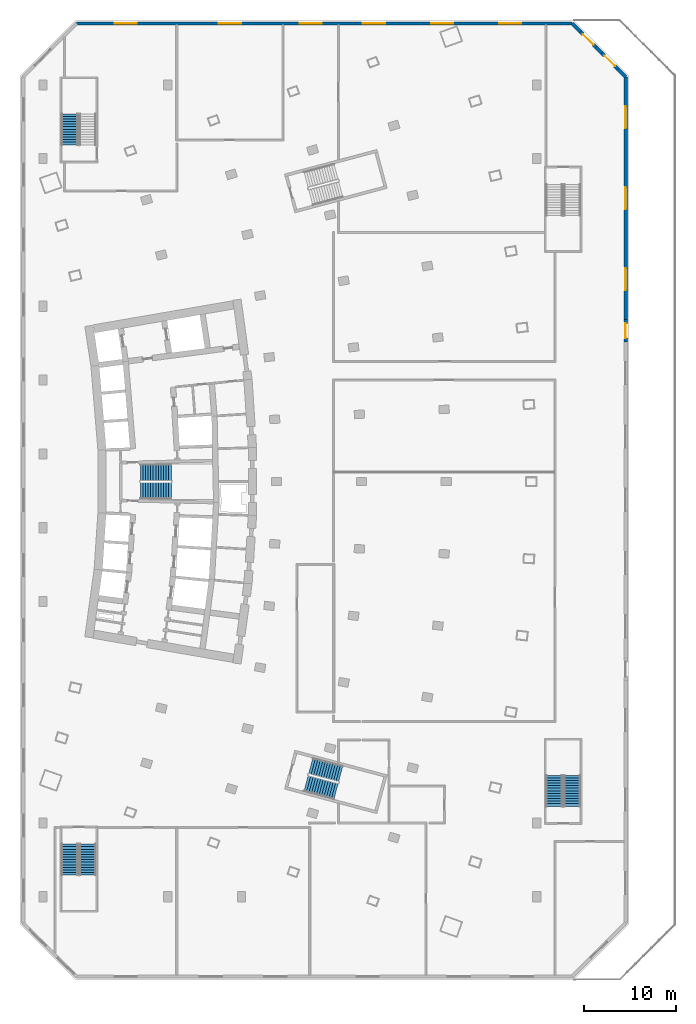
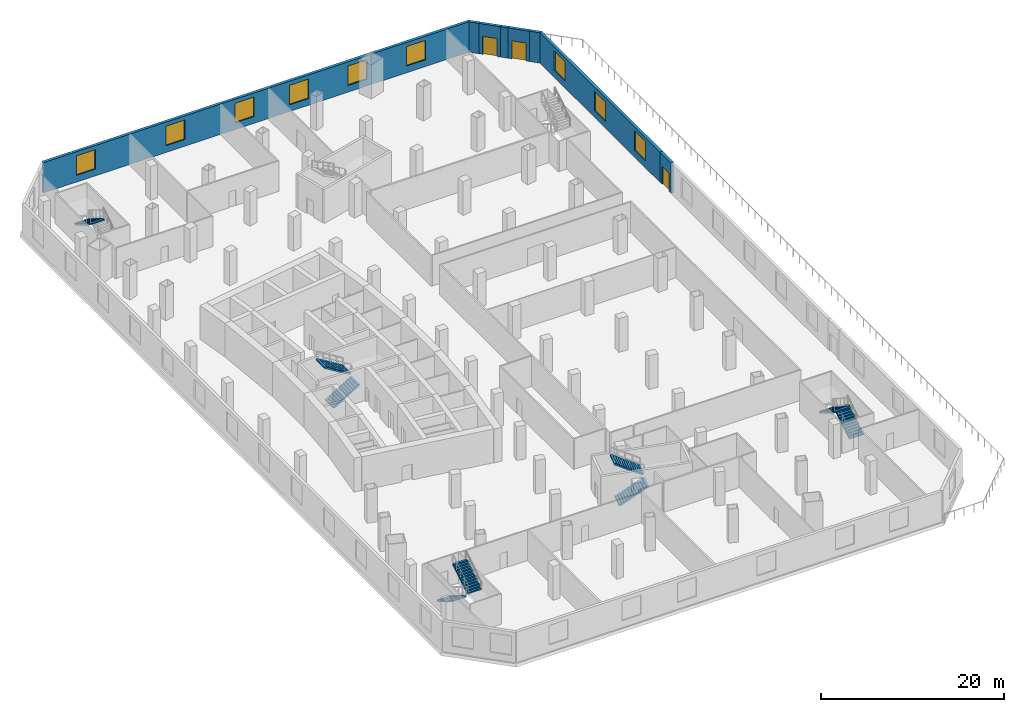
# One storey, part 8 of 14: 9 stair flights, 9 windows, 8 walls, 3 doors, 12 openings, 5 elements without a shape of their own.
"""IFC4 building model written with IfcOpenShell, lengths in metres."""

from ifc_helpers import new_model, si_unit, direction, frame, frame_2d, origin, place, context, subcontext, project, spatial, polyline, rectangle, outline, extrude, material, layer, layer_set, type_object, element, fill, aggregate, save


model = new_model("IFC4")

# Units and contexts
model_context = context("Model", 3, precision=1e-05, world=origin(), true_north=direction((0.0, 1.0)))
body_context = subcontext(model_context, "Body", "Model", "MODEL_VIEW")
ifc_project = project(units=[si_unit("LENGTHUNIT", "METRE"), si_unit("AREAUNIT", "SQUARE_METRE"), si_unit("VOLUMEUNIT", "CUBIC_METRE"), si_unit("PLANEANGLEUNIT", "RADIAN"), si_unit("MASSUNIT", "GRAM", prefix="KILO")], contexts=[model_context])

# Site, building, storey
site_placement = place(None, origin())
site = spatial("IfcSite", under=ifc_project, at=site_placement, CompositionType="ELEMENT")
building_placement = place(site_placement, origin())
building = spatial("IfcBuilding", under=site, at=building_placement, Name="Alderwake Tower", CompositionType="ELEMENT")
storey_placement = place(building_placement, frame((0.0, 0.0, 23.0)))
storey = spatial("IfcBuildingStorey", under=building, at=storey_placement, Name="L04", CompositionType="ELEMENT", Elevation=23.0)

# Wall, opening, door
ifc_material_1 = material(Name="Precast concrete C50/60 spandrel panel", Category="concrete")
ifc_layer_1 = layer(ifc_material_1, 0.35009765625)
ifc_layer_set_1 = layer_set([ifc_layer_1], Name="External wall EW4 Precast concrete C50/60 podium")
wall_type = type_object("IfcWallType", Name="External wall EW4 Precast concrete C50/60 podium", PredefinedType="SOLIDWALL", material=ifc_layer_set_1)
wall_1_placement = place(storey_placement, frame((73.64990234375, 76.152587890625, 0.0), z_axis=(0.0, 0.0, 1.0), x_axis=(0.0, 1.0, 0.0)))
wall_1 = element("IfcWall", 1, at=wall_1_placement, inside=storey, type_object=wall_type, Name="External wall 6", PredefinedType="SOLIDWALL", context=body_context, shape_type="SweptSolid", body=[
    extrude(rectangle(XDim=2.39990234375, YDim=0.35009765625, at=frame_2d((1.199951171875, 0.0))), origin(), (0.0, 0.0, 1.0), 4.050048828125),
])
opening_1_placement = place(wall_1_placement, frame((0.39990234375, 0.0, 0.0)))
opening_1 = element("IfcOpeningElement", 2, at=opening_1_placement, cuts=wall_1, Name="Opening D02", PredefinedType="OPENING", context=body_context, shape_type="SweptSolid", body=[
    extrude(rectangle(XDim=1.60009765625, YDim=2.39990234375, at=frame_2d((0.800048828125, 1.199951171875))), frame((0.0, 0.18505859375, 0.0), z_axis=(0.0, -1.0, 0.0), x_axis=(1.0, 0.0, 0.0)), (0.0, 0.0, 1.0), 0.3701171875),
])
ifc_material_2 = material(Name="Bronze tinted glass in aluminium frame", Category="aluminium")
door_type = type_object("IfcDoorType", Name="Terrace door TD sliding", OperationType="SLIDING_TO_LEFT", PredefinedType="DOOR", material=ifc_material_2)
door_1_placement = place(opening_1_placement, origin())
door_1 = element("IfcDoor", 3, at=door_1_placement, inside=storey, type_object=door_type, Name="Door D02", OperationType="SLIDING_TO_LEFT", OverallHeight=2.39990234375, OverallWidth=1.60009765625, PredefinedType="DOOR", context=body_context, shape_type="SweptSolid", body=[
    extrude(rectangle(XDim=1.60009765625, YDim=2.39990234375, at=frame_2d((0.800048828125, 1.199951171875))), frame((0.0, 0.02490234375, 0.0), z_axis=(0.0, -1.0, 0.0), x_axis=(1.0, 0.0, 0.0)), (0.0, 0.0, 1.0), 0.050048828125),
])
fill(opening_1, door_1)

# Wall, openings, windows
wall_2_placement = place(storey_placement, frame((73.64990234375, 78.552490234375, 0.0), z_axis=(0.0, 0.0, 1.0), x_axis=(0.0, 1.0, 0.0)))
wall_2 = element("IfcWall", 4, at=wall_2_placement, inside=storey, type_object=wall_type, Name="External wall 7", PredefinedType="SOLIDWALL", context=body_context, shape_type="SweptSolid", body=[
    extrude(rectangle(XDim=26.317626953125, YDim=0.35009765625, at=frame_2d((13.15869140625, 0.0))), origin(), (0.0, 0.0, 1.0), 4.050048828125),
])
opening_2_placement = place(wall_2_placement, frame((3.186279296875, 0.0, 0.89990234375)))
opening_2 = element("IfcOpeningElement", 5, at=opening_2_placement, cuts=wall_2, Name="Opening W6", PredefinedType="OPENING", context=body_context, shape_type="SweptSolid", body=[
    extrude(rectangle(XDim=2.39990234375, YDim=2.60009765625, at=frame_2d((1.199951171875, 1.300048828125))), frame((0.0, 0.18505859375, 0.0), z_axis=(0.0, -1.0, 0.0), x_axis=(1.0, 0.0, 0.0)), (0.0, 0.0, 1.0), 0.3701171875),
])
opening_3_placement = place(wall_2_placement, frame((11.958740234375, 0.0, 0.89990234375)))
opening_3 = element("IfcOpeningElement", 6, at=opening_3_placement, cuts=wall_2, Name="Opening W6", PredefinedType="OPENING", context=body_context, shape_type="SweptSolid", body=[
    extrude(rectangle(XDim=2.39990234375, YDim=2.60009765625, at=frame_2d((1.199951171875, 1.300048828125))), frame((0.0, 0.18505859375, 0.0), z_axis=(0.0, -1.0, 0.0), x_axis=(1.0, 0.0, 0.0)), (0.0, 0.0, 1.0), 0.3701171875),
])
opening_4_placement = place(wall_2_placement, frame((20.731201171875, 0.0, 0.89990234375)))
opening_4 = element("IfcOpeningElement", 7, at=opening_4_placement, cuts=wall_2, Name="Opening W6", PredefinedType="OPENING", context=body_context, shape_type="SweptSolid", body=[
    extrude(rectangle(XDim=2.39990234375, YDim=2.60009765625, at=frame_2d((1.199951171875, 1.300048828125))), frame((0.0, 0.18505859375, 0.0), z_axis=(0.0, -1.0, 0.0), x_axis=(1.0, 0.0, 0.0)), (0.0, 0.0, 1.0), 0.3701171875),
])
ifc_material_3 = material(Name="Bronze tinted glass in aluminium frame", Category="aluminium")
window_type = type_object("IfcWindowType", Name="Window W6 podium", PartitioningType="DOUBLE_PANEL_VERTICAL", PredefinedType="WINDOW", material=ifc_material_3)
window_1_placement = place(opening_2_placement, origin())
window_1 = element("IfcWindow", 8, at=window_1_placement, inside=storey, type_object=window_type, Name="Window W6 podium", OverallHeight=2.60009765625, OverallWidth=2.39990234375, PartitioningType="DOUBLE_PANEL_VERTICAL", PredefinedType="WINDOW", context=body_context, shape_type="SweptSolid", body=[
    extrude(rectangle(XDim=2.39990234375, YDim=2.60009765625, at=frame_2d((1.199951171875, 1.300048828125))), frame((0.0, 0.030029296875, 0.0), z_axis=(0.0, -1.0, 0.0), x_axis=(1.0, 0.0, 0.0)), (0.0, 0.0, 1.0), 0.06005859375),
])
fill(opening_2, window_1)
window_2_placement = place(opening_3_placement, origin())
window_2 = element("IfcWindow", 9, at=window_2_placement, inside=storey, type_object=window_type, Name="Window W6 podium", OverallHeight=2.60009765625, OverallWidth=2.39990234375, PartitioningType="DOUBLE_PANEL_VERTICAL", PredefinedType="WINDOW", context=body_context, shape_type="SweptSolid", body=[
    extrude(rectangle(XDim=2.39990234375, YDim=2.60009765625, at=frame_2d((1.199951171875, 1.300048828125))), frame((0.0, 0.030029296875, 0.0), z_axis=(0.0, -1.0, 0.0), x_axis=(1.0, 0.0, 0.0)), (0.0, 0.0, 1.0), 0.06005859375),
])
fill(opening_3, window_2)
window_3_placement = place(opening_4_placement, origin())
window_3 = element("IfcWindow", 10, at=window_3_placement, inside=storey, type_object=window_type, Name="Window W6 podium", OverallHeight=2.60009765625, OverallWidth=2.39990234375, PartitioningType="DOUBLE_PANEL_VERTICAL", PredefinedType="WINDOW", context=body_context, shape_type="SweptSolid", body=[
    extrude(rectangle(XDim=2.39990234375, YDim=2.60009765625, at=frame_2d((1.199951171875, 1.300048828125))), frame((0.0, 0.030029296875, 0.0), z_axis=(0.0, -1.0, 0.0), x_axis=(1.0, 0.0, 0.0)), (0.0, 0.0, 1.0), 0.06005859375),
])
fill(opening_4, window_3)

# Wall
wall_3_placement = place(storey_placement, frame((73.64990234375, 104.85498046875, 0.0), z_axis=(0.0, 0.0, 1.0), x_axis=(-0.707010135691, 0.707203413475, 0.0)))
element("IfcWall", 11, at=wall_3_placement, inside=storey, type_object=wall_type, Name="External wall 8", PredefinedType="SOLIDWALL", context=body_context, shape_type="SweptSolid", body=[
    extrude(rectangle(XDim=1.26318359375, YDim=0.35009765625, at=frame_2d((0.631591796875, 0.0))), origin(), (0.0, 0.0, 1.0), 4.050048828125),
])

# Wall, opening, door
wall_4_placement = place(storey_placement, frame((72.7568359375, 105.748291015625, 0.0), z_axis=(0.0, 0.0, 1.0), x_axis=(-0.707106781187, 0.707106781187, 0.0)))
wall_4 = element("IfcWall", 12, at=wall_4_placement, inside=storey, type_object=wall_type, Name="External wall 9", PredefinedType="SOLIDWALL", context=body_context, shape_type="SweptSolid", body=[
    extrude(rectangle(XDim=2.39990234375, YDim=0.35009765625, at=frame_2d((1.199951171875, 0.0))), origin(), (0.0, 0.0, 1.0), 4.050048828125),
])
opening_5_placement = place(wall_4_placement, frame((0.39990234375, 0.0, 0.0)))
opening_5 = element("IfcOpeningElement", 13, at=opening_5_placement, cuts=wall_4, Name="Opening D03", PredefinedType="OPENING", context=body_context, shape_type="SweptSolid", body=[
    extrude(rectangle(XDim=1.60009765625, YDim=2.39990234375, at=frame_2d((0.800048828125, 1.199951171875))), frame((0.0, 0.18505859375, 0.0), z_axis=(0.0, -1.0, 0.0), x_axis=(1.0, 0.0, 0.0)), (0.0, 0.0, 1.0), 0.3701171875),
])
door_2_placement = place(opening_5_placement, origin())
door_2 = element("IfcDoor", 14, at=door_2_placement, inside=storey, type_object=door_type, Name="Door D03", OperationType="SLIDING_TO_LEFT", OverallHeight=2.39990234375, OverallWidth=1.60009765625, PredefinedType="DOOR", context=body_context, shape_type="SweptSolid", body=[
    extrude(rectangle(XDim=1.60009765625, YDim=2.39990234375, at=frame_2d((0.800048828125, 1.199951171875))), frame((0.0, 0.02490234375, 0.0), z_axis=(0.0, -1.0, 0.0), x_axis=(1.0, 0.0, 0.0)), (0.0, 0.0, 1.0), 0.050048828125),
])
fill(opening_5, door_2)

# Wall
wall_5_placement = place(storey_placement, frame((71.059814453125, 107.4453125, 0.0), z_axis=(0.0, 0.0, 1.0), x_axis=(-0.707244847527, 0.706968687883, 0.0)))
element("IfcWall", 15, at=wall_5_placement, inside=storey, type_object=wall_type, Name="External wall 10", PredefinedType="SOLIDWALL", context=body_context, shape_type="SweptSolid", body=[
    extrude(rectangle(XDim=0.884033203125, YDim=0.35009765625, at=frame_2d((0.44189453125, 0.0))), origin(), (0.0, 0.0, 1.0), 4.050048828125),
])

# Wall, opening, door
wall_6_placement = place(storey_placement, frame((70.4345703125, 108.0703125, 0.0), z_axis=(0.0, 0.0, 1.0), x_axis=(-0.707055919343, 0.707157639372, 0.0)))
wall_6 = element("IfcWall", 16, at=wall_6_placement, inside=storey, type_object=wall_type, Name="External wall 11", PredefinedType="SOLIDWALL", context=body_context, shape_type="SweptSolid", body=[
    extrude(rectangle(XDim=2.400146484375, YDim=0.35009765625, at=frame_2d((1.2001953125, 0.0))), origin(), (0.0, 0.0, 1.0), 4.050048828125),
])
opening_6_placement = place(wall_6_placement, frame((0.39990234375, 0.0, 0.0)))
opening_6 = element("IfcOpeningElement", 17, at=opening_6_placement, cuts=wall_6, Name="Opening D04", PredefinedType="OPENING", context=body_context, shape_type="SweptSolid", body=[
    extrude(rectangle(XDim=1.60009765625, YDim=2.39990234375, at=frame_2d((0.800048828125, 1.199951171875))), frame((0.0, 0.18505859375, 0.0), z_axis=(0.0, -1.0, 0.0), x_axis=(1.0, 0.0, 0.0)), (0.0, 0.0, 1.0), 0.3701171875),
])
door_3_placement = place(opening_6_placement, origin())
door_3 = element("IfcDoor", 18, at=door_3_placement, inside=storey, type_object=door_type, Name="Door D04", OperationType="SLIDING_TO_LEFT", OverallHeight=2.39990234375, OverallWidth=1.60009765625, PredefinedType="DOOR", context=body_context, shape_type="SweptSolid", body=[
    extrude(rectangle(XDim=1.60009765625, YDim=2.39990234375, at=frame_2d((0.800048828125, 1.199951171875))), frame((0.0, 0.02490234375, 0.0), z_axis=(0.0, -1.0, 0.0), x_axis=(1.0, 0.0, 0.0)), (0.0, 0.0, 1.0), 0.050048828125),
])
fill(opening_6, door_3)

# Wall
wall_7_placement = place(storey_placement, frame((68.737548828125, 109.767578125, 0.0), z_axis=(0.0, 0.0, 1.0), x_axis=(-0.707106781187, 0.707106781187, 0.0)))
element("IfcWall", 19, at=wall_7_placement, inside=storey, type_object=wall_type, Name="External wall 12", PredefinedType="SOLIDWALL", context=body_context, shape_type="SweptSolid", body=[
    extrude(rectangle(XDim=1.262939453125, YDim=0.35009765625, at=frame_2d((0.63134765625, 0.0))), origin(), (0.0, 0.0, 1.0), 4.050048828125),
])

# Wall, openings, windows
wall_8_placement = place(storey_placement, frame((67.85498046875, 110.64990234375, 0.0), z_axis=(0.0, 0.0, 1.0), x_axis=(-1.0, 0.0, 0.0)))
wall_8 = element("IfcWall", 20, at=wall_8_placement, inside=storey, type_object=wall_type, Name="External wall 13", PredefinedType="SOLIDWALL", context=body_context, shape_type="SweptSolid", body=[
    extrude(rectangle(XDim=53.72509765625, YDim=0.35009765625, at=frame_2d((26.862548828125, 0.0))), origin(), (0.0, 0.0, 1.0), 4.050048828125),
])
opening_7_placement = place(wall_8_placement, frame((5.52392578125, 0.0, 0.89990234375)))
opening_7 = element("IfcOpeningElement", 21, at=opening_7_placement, cuts=wall_8, Name="Opening W6", PredefinedType="OPENING", context=body_context, shape_type="SweptSolid", body=[
    extrude(rectangle(XDim=2.39990234375, YDim=2.60009765625, at=frame_2d((1.199951171875, 1.300048828125))), frame((0.0, 0.18505859375, 0.0), z_axis=(0.0, -1.0, 0.0), x_axis=(1.0, 0.0, 0.0)), (0.0, 0.0, 1.0), 0.3701171875),
])
opening_8_placement = place(wall_8_placement, frame((12.904052734375, 0.0, 0.89990234375)))
opening_8 = element("IfcOpeningElement", 22, at=opening_8_placement, cuts=wall_8, Name="Opening W6", PredefinedType="OPENING", context=body_context, shape_type="SweptSolid", body=[
    extrude(rectangle(XDim=2.39990234375, YDim=2.60009765625, at=frame_2d((1.199951171875, 1.300048828125))), frame((0.0, 0.18505859375, 0.0), z_axis=(0.0, -1.0, 0.0), x_axis=(1.0, 0.0, 0.0)), (0.0, 0.0, 1.0), 0.3701171875),
])
opening_9_placement = place(wall_8_placement, frame((20.283935546875, 0.0, 0.89990234375)))
opening_9 = element("IfcOpeningElement", 23, at=opening_9_placement, cuts=wall_8, Name="Opening W6", PredefinedType="OPENING", context=body_context, shape_type="SweptSolid", body=[
    extrude(rectangle(XDim=2.39990234375, YDim=2.60009765625, at=frame_2d((1.199951171875, 1.300048828125))), frame((0.0, 0.18505859375, 0.0), z_axis=(0.0, -1.0, 0.0), x_axis=(1.0, 0.0, 0.0)), (0.0, 0.0, 1.0), 0.3701171875),
])
opening_10_placement = place(wall_8_placement, frame((27.154052734375, 0.0, 0.89990234375)))
opening_10 = element("IfcOpeningElement", 24, at=opening_10_placement, cuts=wall_8, Name="Opening W6", PredefinedType="OPENING", context=body_context, shape_type="SweptSolid", body=[
    extrude(rectangle(XDim=2.39990234375, YDim=2.60009765625, at=frame_2d((1.199951171875, 1.300048828125))), frame((0.0, 0.18505859375, 0.0), z_axis=(0.0, -1.0, 0.0), x_axis=(1.0, 0.0, 0.0)), (0.0, 0.0, 1.0), 0.3701171875),
])
opening_11_placement = place(wall_8_placement, frame((35.89501953125, 0.0, 0.89990234375)))
opening_11 = element("IfcOpeningElement", 25, at=opening_11_placement, cuts=wall_8, Name="Opening W6", PredefinedType="OPENING", context=body_context, shape_type="SweptSolid", body=[
    extrude(rectangle(XDim=2.39990234375, YDim=2.60009765625, at=frame_2d((1.199951171875, 1.300048828125))), frame((0.0, 0.18505859375, 0.0), z_axis=(0.0, -1.0, 0.0), x_axis=(1.0, 0.0, 0.0)), (0.0, 0.0, 1.0), 0.3701171875),
])
opening_12_placement = place(wall_8_placement, frame((47.1904296875, 0.0, 0.89990234375)))
opening_12 = element("IfcOpeningElement", 26, at=opening_12_placement, cuts=wall_8, Name="Opening W6", PredefinedType="OPENING", context=body_context, shape_type="SweptSolid", body=[
    extrude(rectangle(XDim=2.39990234375, YDim=2.60009765625, at=frame_2d((1.199951171875, 1.300048828125))), frame((0.0, 0.18505859375, 0.0), z_axis=(0.0, -1.0, 0.0), x_axis=(1.0, 0.0, 0.0)), (0.0, 0.0, 1.0), 0.3701171875),
])
window_4_placement = place(opening_7_placement, origin())
window_4 = element("IfcWindow", 27, at=window_4_placement, inside=storey, type_object=window_type, Name="Window W6 podium", OverallHeight=2.60009765625, OverallWidth=2.39990234375, PartitioningType="DOUBLE_PANEL_VERTICAL", PredefinedType="WINDOW", context=body_context, shape_type="SweptSolid", body=[
    extrude(rectangle(XDim=2.39990234375, YDim=2.60009765625, at=frame_2d((1.199951171875, 1.300048828125))), frame((0.0, 0.030029296875, 0.0), z_axis=(0.0, -1.0, 0.0), x_axis=(1.0, 0.0, 0.0)), (0.0, 0.0, 1.0), 0.06005859375),
])
fill(opening_7, window_4)
window_5_placement = place(opening_8_placement, origin())
window_5 = element("IfcWindow", 28, at=window_5_placement, inside=storey, type_object=window_type, Name="Window W6 podium", OverallHeight=2.60009765625, OverallWidth=2.39990234375, PartitioningType="DOUBLE_PANEL_VERTICAL", PredefinedType="WINDOW", context=body_context, shape_type="SweptSolid", body=[
    extrude(rectangle(XDim=2.39990234375, YDim=2.60009765625, at=frame_2d((1.199951171875, 1.300048828125))), frame((0.0, 0.030029296875, 0.0), z_axis=(0.0, -1.0, 0.0), x_axis=(1.0, 0.0, 0.0)), (0.0, 0.0, 1.0), 0.06005859375),
])
fill(opening_8, window_5)
window_6_placement = place(opening_9_placement, origin())
window_6 = element("IfcWindow", 29, at=window_6_placement, inside=storey, type_object=window_type, Name="Window W6 podium", OverallHeight=2.60009765625, OverallWidth=2.39990234375, PartitioningType="DOUBLE_PANEL_VERTICAL", PredefinedType="WINDOW", context=body_context, shape_type="SweptSolid", body=[
    extrude(rectangle(XDim=2.39990234375, YDim=2.60009765625, at=frame_2d((1.199951171875, 1.300048828125))), frame((0.0, 0.030029296875, 0.0), z_axis=(0.0, -1.0, 0.0), x_axis=(1.0, 0.0, 0.0)), (0.0, 0.0, 1.0), 0.06005859375),
])
fill(opening_9, window_6)
window_7_placement = place(opening_10_placement, origin())
window_7 = element("IfcWindow", 30, at=window_7_placement, inside=storey, type_object=window_type, Name="Window W6 podium", OverallHeight=2.60009765625, OverallWidth=2.39990234375, PartitioningType="DOUBLE_PANEL_VERTICAL", PredefinedType="WINDOW", context=body_context, shape_type="SweptSolid", body=[
    extrude(rectangle(XDim=2.39990234375, YDim=2.60009765625, at=frame_2d((1.199951171875, 1.300048828125))), frame((0.0, 0.030029296875, 0.0), z_axis=(0.0, -1.0, 0.0), x_axis=(1.0, 0.0, 0.0)), (0.0, 0.0, 1.0), 0.06005859375),
])
fill(opening_10, window_7)
window_8_placement = place(opening_11_placement, origin())
window_8 = element("IfcWindow", 31, at=window_8_placement, inside=storey, type_object=window_type, Name="Window W6 podium", OverallHeight=2.60009765625, OverallWidth=2.39990234375, PartitioningType="DOUBLE_PANEL_VERTICAL", PredefinedType="WINDOW", context=body_context, shape_type="SweptSolid", body=[
    extrude(rectangle(XDim=2.39990234375, YDim=2.60009765625, at=frame_2d((1.199951171875, 1.300048828125))), frame((0.0, 0.030029296875, 0.0), z_axis=(0.0, -1.0, 0.0), x_axis=(1.0, 0.0, 0.0)), (0.0, 0.0, 1.0), 0.06005859375),
])
fill(opening_11, window_8)
window_9_placement = place(opening_12_placement, origin())
window_9 = element("IfcWindow", 32, at=window_9_placement, inside=storey, type_object=window_type, Name="Window W6 podium", OverallHeight=2.60009765625, OverallWidth=2.39990234375, PartitioningType="DOUBLE_PANEL_VERTICAL", PredefinedType="WINDOW", context=body_context, shape_type="SweptSolid", body=[
    extrude(rectangle(XDim=2.39990234375, YDim=2.60009765625, at=frame_2d((1.199951171875, 1.300048828125))), frame((0.0, 0.030029296875, 0.0), z_axis=(0.0, -1.0, 0.0), x_axis=(1.0, 0.0, 0.0)), (0.0, 0.0, 1.0), 0.06005859375),
])
fill(opening_12, window_9)

# Stair, stair flights
ifc_material_4 = material(Name="Concrete C40/50", Category="concrete")
stair_type_1 = type_object("IfcStairType", Name="Core exit stair", PredefinedType="HALF_TURN_STAIR", material=ifc_material_4)
stair_1_placement = place(storey_placement, origin())
stair_1 = element("IfcStair", 33, at=stair_1_placement, inside=storey, type_object=stair_type_1, Name="L04 Exit Stair B", PredefinedType="HALF_TURN_STAIR")
ifc_material_5 = material(Name="Concrete C40/50", Category="concrete")
ifc_layer_2 = layer(ifc_material_5, 0.14990234375)
ifc_layer_set_2 = layer_set([ifc_layer_2], Name="Core stair flight")
stair_flight_type = type_object("IfcStairFlightType", Name="Core stair flight", PredefinedType="STRAIGHT", material=ifc_layer_set_2)
stair_flight_1_placement = place(storey_placement, frame((21.0400390625, 60.02490234375, 0.0), z_axis=(0.0, 0.0, 1.0), x_axis=(1.0, 0.0, 0.0)))
stair_flight_1 = element("IfcStairFlight", 34, at=stair_flight_1_placement, type_object=stair_flight_type, Name="ST-B flight 1", NumberOfRisers=13, NumberOfTreads=12, PredefinedType="STRAIGHT", RiserHeight=0.173076923, TreadLength=0.28, context=body_context, shape_type="SweptSolid", body=[
    extrude(outline(polyline([(0.0, 0.0), (0.0, 0.173095703125), (0.280029296875, 0.173095703125), (0.280029296875, 0.34619140625), (0.56005859375, 0.34619140625), (0.56005859375, 0.519287109375), (0.840087890625, 0.519287109375), (0.840087890625, 0.6923828125), (1.1201171875, 0.6923828125), (1.1201171875, 0.865478515625), (1.39990234375, 0.865478515625), (1.39990234375, 1.03857421875), (1.679931640625, 1.03857421875), (1.679931640625, 1.21142578125), (1.9599609375, 1.21142578125), (1.9599609375, 1.384521484375), (2.239990234375, 1.384521484375), (2.239990234375, 1.5576171875), (2.52001953125, 1.5576171875), (2.52001953125, 1.730712890625), (2.800048828125, 1.730712890625), (2.800048828125, 1.90380859375), (3.080078125, 1.90380859375), (3.080078125, 2.076904296875), (3.360107421875, 2.076904296875), (3.360107421875, 2.25), (3.360107421875, 1.900634765625), (0.28515625, 0.0), (0.0, 0.0)])), frame((0.0, 0.89990234375, 0.0), z_axis=(0.0, -1.0, 0.0), x_axis=(1.0, 0.0, 0.0)), (0.0, 0.0, 1.0), 1.800048828125),
])
stair_flight_2_placement = place(storey_placement, frame((24.39990234375, 61.97509765625, 2.25), z_axis=(0.0, 0.0, 1.0), x_axis=(-1.0, 0.0, 0.0)))
stair_flight_2 = element("IfcStairFlight", 35, at=stair_flight_2_placement, type_object=stair_flight_type, Name="ST-B flight 2", NumberOfRisers=13, NumberOfTreads=12, PredefinedType="STRAIGHT", RiserHeight=0.173076923, TreadLength=0.28, context=body_context, shape_type="SweptSolid", body=[
    extrude(outline(polyline([(0.0, 0.0), (0.0, 0.173095703125), (0.280029296875, 0.173095703125), (0.280029296875, 0.34619140625), (0.56005859375, 0.34619140625), (0.56005859375, 0.519287109375), (0.840087890625, 0.519287109375), (0.840087890625, 0.6923828125), (1.1201171875, 0.6923828125), (1.1201171875, 0.865478515625), (1.39990234375, 0.865478515625), (1.39990234375, 1.03857421875), (1.679931640625, 1.03857421875), (1.679931640625, 1.21142578125), (1.9599609375, 1.21142578125), (1.9599609375, 1.384521484375), (2.239990234375, 1.384521484375), (2.239990234375, 1.5576171875), (2.52001953125, 1.5576171875), (2.52001953125, 1.730712890625), (2.800048828125, 1.730712890625), (2.800048828125, 1.90380859375), (3.080078125, 1.90380859375), (3.080078125, 2.076904296875), (3.360107421875, 2.076904296875), (3.360107421875, 2.25), (3.360107421875, 1.900634765625), (0.28515625, 0.0), (0.0, 0.0)])), frame((0.0, 0.89990234375, 0.0), z_axis=(0.0, -1.0, 0.0), x_axis=(1.0, 0.0, 0.0)), (0.0, 0.0, 1.0), 1.800048828125),
])
aggregate(stair_1, [stair_flight_1, stair_flight_2])

stair_2_placement = place(storey_placement, origin())
stair_2 = element("IfcStair", 36, at=stair_2_placement, inside=storey, type_object=stair_type_1, Name="L04 Exit Stair C", PredefinedType="HALF_TURN_STAIR")
stair_flight_3_placement = place(storey_placement, frame((39.010986328125, 28.291748046875, 0.0), z_axis=(0.0, 0.0, 1.0), x_axis=(0.966309627437, -0.257382407951, 0.0)))
stair_flight_3 = element("IfcStairFlight", 37, at=stair_flight_3_placement, type_object=stair_flight_type, Name="ST-C flight 1", NumberOfRisers=13, NumberOfTreads=12, PredefinedType="STRAIGHT", RiserHeight=0.173076923, TreadLength=0.28, context=body_context, shape_type="SweptSolid", body=[
    extrude(outline(polyline([(0.0, 0.0), (0.0, 0.173095703125), (0.280029296875, 0.173095703125), (0.280029296875, 0.34619140625), (0.56005859375, 0.34619140625), (0.56005859375, 0.519287109375), (0.840087890625, 0.519287109375), (0.840087890625, 0.6923828125), (1.1201171875, 0.6923828125), (1.1201171875, 0.865478515625), (1.39990234375, 0.865478515625), (1.39990234375, 1.03857421875), (1.679931640625, 1.03857421875), (1.679931640625, 1.21142578125), (1.9599609375, 1.21142578125), (1.9599609375, 1.384521484375), (2.239990234375, 1.384521484375), (2.239990234375, 1.5576171875), (2.52001953125, 1.5576171875), (2.52001953125, 1.730712890625), (2.800048828125, 1.730712890625), (2.800048828125, 1.90380859375), (3.080078125, 1.90380859375), (3.080078125, 2.076904296875), (3.360107421875, 2.076904296875), (3.360107421875, 2.25), (3.360107421875, 1.900634765625), (0.28515625, 0.0), (0.0, 0.0)])), frame((0.0, 0.89990234375, 0.0), z_axis=(0.0, -1.0, 0.0), x_axis=(1.0, 0.0, 0.0)), (0.0, 0.0, 1.0), 1.800048828125),
])
stair_flight_4_placement = place(storey_placement, frame((42.759765625, 29.311279296875, 2.25), z_axis=(0.0, 0.0, 1.0), x_axis=(-0.966309627437, 0.257382407951, 0.0)))
stair_flight_4 = element("IfcStairFlight", 38, at=stair_flight_4_placement, type_object=stair_flight_type, Name="ST-C flight 2", NumberOfRisers=13, NumberOfTreads=12, PredefinedType="STRAIGHT", RiserHeight=0.173076923, TreadLength=0.28, context=body_context, shape_type="SweptSolid", body=[
    extrude(outline(polyline([(0.0, 0.0), (0.0, 0.173095703125), (0.280029296875, 0.173095703125), (0.280029296875, 0.34619140625), (0.56005859375, 0.34619140625), (0.56005859375, 0.519287109375), (0.840087890625, 0.519287109375), (0.840087890625, 0.6923828125), (1.1201171875, 0.6923828125), (1.1201171875, 0.865478515625), (1.39990234375, 0.865478515625), (1.39990234375, 1.03857421875), (1.679931640625, 1.03857421875), (1.679931640625, 1.21142578125), (1.9599609375, 1.21142578125), (1.9599609375, 1.384521484375), (2.239990234375, 1.384521484375), (2.239990234375, 1.5576171875), (2.52001953125, 1.5576171875), (2.52001953125, 1.730712890625), (2.800048828125, 1.730712890625), (2.800048828125, 1.90380859375), (3.080078125, 1.90380859375), (3.080078125, 2.076904296875), (3.360107421875, 2.076904296875), (3.360107421875, 2.25), (3.360107421875, 1.900634765625), (0.28515625, 0.0), (0.0, 0.0)])), frame((0.0, 0.89990234375, 0.0), z_axis=(0.0, -1.0, 0.0), x_axis=(1.0, 0.0, 0.0)), (0.0, 0.0, 1.0), 1.800048828125),
])
aggregate(stair_2, [stair_flight_3, stair_flight_4])

ifc_material_6 = material(Name="Concrete C40/50", Category="concrete")
stair_type_2 = type_object("IfcStairType", Name="Exit stair 1800 half-turn", PredefinedType="HALF_TURN_STAIR", material=ifc_material_6)
stair_3_placement = place(storey_placement, origin())
stair_3 = element("IfcStair", 39, at=stair_3_placement, inside=storey, type_object=stair_type_2, Name="L04 Podium stair P1", PredefinedType="HALF_TURN_STAIR")
stair_flight_5_placement = place(storey_placement, frame((13.39990234375, 21.699951171875, 0.0), z_axis=(0.0, 0.0, 1.0), x_axis=(0.0, -1.0, 0.0)))
stair_flight_5 = element("IfcStairFlight", 40, at=stair_flight_5_placement, type_object=stair_flight_type, Name="ST-P1 flight 1", NumberOfRisers=13, NumberOfTreads=12, PredefinedType="STRAIGHT", RiserHeight=0.173076923, TreadLength=0.28, context=body_context, shape_type="SweptSolid", body=[
    extrude(outline(polyline([(0.0, 0.0), (0.0, 0.173095703125), (0.280029296875, 0.173095703125), (0.280029296875, 0.34619140625), (0.56005859375, 0.34619140625), (0.56005859375, 0.519287109375), (0.840087890625, 0.519287109375), (0.840087890625, 0.6923828125), (1.1201171875, 0.6923828125), (1.1201171875, 0.865478515625), (1.39990234375, 0.865478515625), (1.39990234375, 1.03857421875), (1.679931640625, 1.03857421875), (1.679931640625, 1.21142578125), (1.9599609375, 1.21142578125), (1.9599609375, 1.384521484375), (2.239990234375, 1.384521484375), (2.239990234375, 1.5576171875), (2.52001953125, 1.5576171875), (2.52001953125, 1.730712890625), (2.800048828125, 1.730712890625), (2.800048828125, 1.90380859375), (3.080078125, 1.90380859375), (3.080078125, 2.076904296875), (3.360107421875, 2.076904296875), (3.360107421875, 2.25), (3.360107421875, 1.900634765625), (0.28515625, 0.0), (0.0, 0.0)])), frame((0.0, 0.89990234375, 0.0), z_axis=(0.0, -1.0, 0.0), x_axis=(1.0, 0.0, 0.0)), (0.0, 0.0, 1.0), 1.800048828125),
])
stair_flight_6_placement = place(storey_placement, frame((15.35009765625, 18.340087890625, 2.25), z_axis=(0.0, 0.0, 1.0), x_axis=(0.0, 1.0, 0.0)))
stair_flight_6 = element("IfcStairFlight", 41, at=stair_flight_6_placement, type_object=stair_flight_type, Name="ST-P1 flight 2", NumberOfRisers=13, NumberOfTreads=12, PredefinedType="STRAIGHT", RiserHeight=0.173076923, TreadLength=0.28, context=body_context, shape_type="SweptSolid", body=[
    extrude(outline(polyline([(0.0, 0.0), (0.0, 0.173095703125), (0.280029296875, 0.173095703125), (0.280029296875, 0.34619140625), (0.56005859375, 0.34619140625), (0.56005859375, 0.519287109375), (0.840087890625, 0.519287109375), (0.840087890625, 0.6923828125), (1.1201171875, 0.6923828125), (1.1201171875, 0.865478515625), (1.39990234375, 0.865478515625), (1.39990234375, 1.03857421875), (1.679931640625, 1.03857421875), (1.679931640625, 1.21142578125), (1.9599609375, 1.21142578125), (1.9599609375, 1.384521484375), (2.239990234375, 1.384521484375), (2.239990234375, 1.5576171875), (2.52001953125, 1.5576171875), (2.52001953125, 1.730712890625), (2.800048828125, 1.730712890625), (2.800048828125, 1.90380859375), (3.080078125, 1.90380859375), (3.080078125, 2.076904296875), (3.360107421875, 2.076904296875), (3.360107421875, 2.25), (3.360107421875, 1.900634765625), (0.28515625, 0.0), (0.0, 0.0)])), frame((0.0, 0.89990234375, 0.0), z_axis=(0.0, -1.0, 0.0), x_axis=(1.0, 0.0, 0.0)), (0.0, 0.0, 1.0), 1.800048828125),
])
aggregate(stair_3, [stair_flight_5, stair_flight_6])

# Stair, stair flight
stair_4_placement = place(storey_placement, origin())
stair_4 = element("IfcStair", 42, at=stair_4_placement, inside=storey, type_object=stair_type_2, Name="L04 Podium stair P2", PredefinedType="HALF_TURN_STAIR")
stair_flight_7_placement = place(storey_placement, frame((13.39990234375, 100.860107421875, 2.25), z_axis=(0.0, 0.0, 1.0), x_axis=(0.0, -1.0, 0.0)))
stair_flight_7 = element("IfcStairFlight", 43, at=stair_flight_7_placement, type_object=stair_flight_type, Name="ST-P2 flight 2", NumberOfRisers=13, NumberOfTreads=12, PredefinedType="STRAIGHT", RiserHeight=0.173076923, TreadLength=0.28, context=body_context, shape_type="SweptSolid", body=[
    extrude(outline(polyline([(0.0, 0.0), (0.0, 0.173095703125), (0.280029296875, 0.173095703125), (0.280029296875, 0.34619140625), (0.56005859375, 0.34619140625), (0.56005859375, 0.519287109375), (0.840087890625, 0.519287109375), (0.840087890625, 0.6923828125), (1.1201171875, 0.6923828125), (1.1201171875, 0.865478515625), (1.39990234375, 0.865478515625), (1.39990234375, 1.03857421875), (1.679931640625, 1.03857421875), (1.679931640625, 1.21142578125), (1.9599609375, 1.21142578125), (1.9599609375, 1.384521484375), (2.239990234375, 1.384521484375), (2.239990234375, 1.5576171875), (2.52001953125, 1.5576171875), (2.52001953125, 1.730712890625), (2.800048828125, 1.730712890625), (2.800048828125, 1.90380859375), (3.080078125, 1.90380859375), (3.080078125, 2.076904296875), (3.360107421875, 2.076904296875), (3.360107421875, 2.25), (3.360107421875, 1.900634765625), (0.28515625, 0.0), (0.0, 0.0)])), frame((0.0, 0.89990234375, 0.0), z_axis=(0.0, -1.0, 0.0), x_axis=(1.0, 0.0, 0.0)), (0.0, 0.0, 1.0), 1.800048828125),
])
aggregate(stair_4, [stair_flight_7])

# Stair, stair flights
stair_5_placement = place(storey_placement, origin())
stair_5 = element("IfcStair", 44, at=stair_5_placement, inside=storey, type_object=stair_type_2, Name="L04 Podium stair P4", PredefinedType="HALF_TURN_STAIR")
stair_flight_8_placement = place(storey_placement, frame((67.85009765625, 25.800048828125, 0.0), z_axis=(0.0, 0.0, 1.0), x_axis=(0.0, 1.0, 0.0)))
stair_flight_8 = element("IfcStairFlight", 45, at=stair_flight_8_placement, type_object=stair_flight_type, Name="ST-P4 flight 1", NumberOfRisers=13, NumberOfTreads=12, PredefinedType="STRAIGHT", RiserHeight=0.173076923, TreadLength=0.28, context=body_context, shape_type="SweptSolid", body=[
    extrude(outline(polyline([(0.0, 0.0), (0.0, 0.173095703125), (0.280029296875, 0.173095703125), (0.280029296875, 0.34619140625), (0.56005859375, 0.34619140625), (0.56005859375, 0.519287109375), (0.840087890625, 0.519287109375), (0.840087890625, 0.6923828125), (1.1201171875, 0.6923828125), (1.1201171875, 0.865478515625), (1.39990234375, 0.865478515625), (1.39990234375, 1.03857421875), (1.679931640625, 1.03857421875), (1.679931640625, 1.21142578125), (1.9599609375, 1.21142578125), (1.9599609375, 1.384521484375), (2.239990234375, 1.384521484375), (2.239990234375, 1.5576171875), (2.52001953125, 1.5576171875), (2.52001953125, 1.730712890625), (2.800048828125, 1.730712890625), (2.800048828125, 1.90380859375), (3.080078125, 1.90380859375), (3.080078125, 2.076904296875), (3.360107421875, 2.076904296875), (3.360107421875, 2.25), (3.360107421875, 1.900634765625), (0.28515625, 0.0), (0.0, 0.0)])), frame((0.0, 0.89990234375, 0.0), z_axis=(0.0, -1.0, 0.0), x_axis=(1.0, 0.0, 0.0)), (0.0, 0.0, 1.0), 1.800048828125),
])
stair_flight_9_placement = place(storey_placement, frame((65.89990234375, 29.159912109375, 2.25), z_axis=(0.0, 0.0, 1.0), x_axis=(0.0, -1.0, 0.0)))
stair_flight_9 = element("IfcStairFlight", 46, at=stair_flight_9_placement, type_object=stair_flight_type, Name="ST-P4 flight 2", NumberOfRisers=13, NumberOfTreads=12, PredefinedType="STRAIGHT", RiserHeight=0.173076923, TreadLength=0.28, context=body_context, shape_type="SweptSolid", body=[
    extrude(outline(polyline([(0.0, 0.0), (0.0, 0.173095703125), (0.280029296875, 0.173095703125), (0.280029296875, 0.34619140625), (0.56005859375, 0.34619140625), (0.56005859375, 0.519287109375), (0.840087890625, 0.519287109375), (0.840087890625, 0.6923828125), (1.1201171875, 0.6923828125), (1.1201171875, 0.865478515625), (1.39990234375, 0.865478515625), (1.39990234375, 1.03857421875), (1.679931640625, 1.03857421875), (1.679931640625, 1.21142578125), (1.9599609375, 1.21142578125), (1.9599609375, 1.384521484375), (2.239990234375, 1.384521484375), (2.239990234375, 1.5576171875), (2.52001953125, 1.5576171875), (2.52001953125, 1.730712890625), (2.800048828125, 1.730712890625), (2.800048828125, 1.90380859375), (3.080078125, 1.90380859375), (3.080078125, 2.076904296875), (3.360107421875, 2.076904296875), (3.360107421875, 2.25), (3.360107421875, 1.900634765625), (0.28515625, 0.0), (0.0, 0.0)])), frame((0.0, 0.89990234375, 0.0), z_axis=(0.0, -1.0, 0.0), x_axis=(1.0, 0.0, 0.0)), (0.0, 0.0, 1.0), 1.800048828125),
])
aggregate(stair_5, [stair_flight_8, stair_flight_9])

save(model, "model.ifc")
